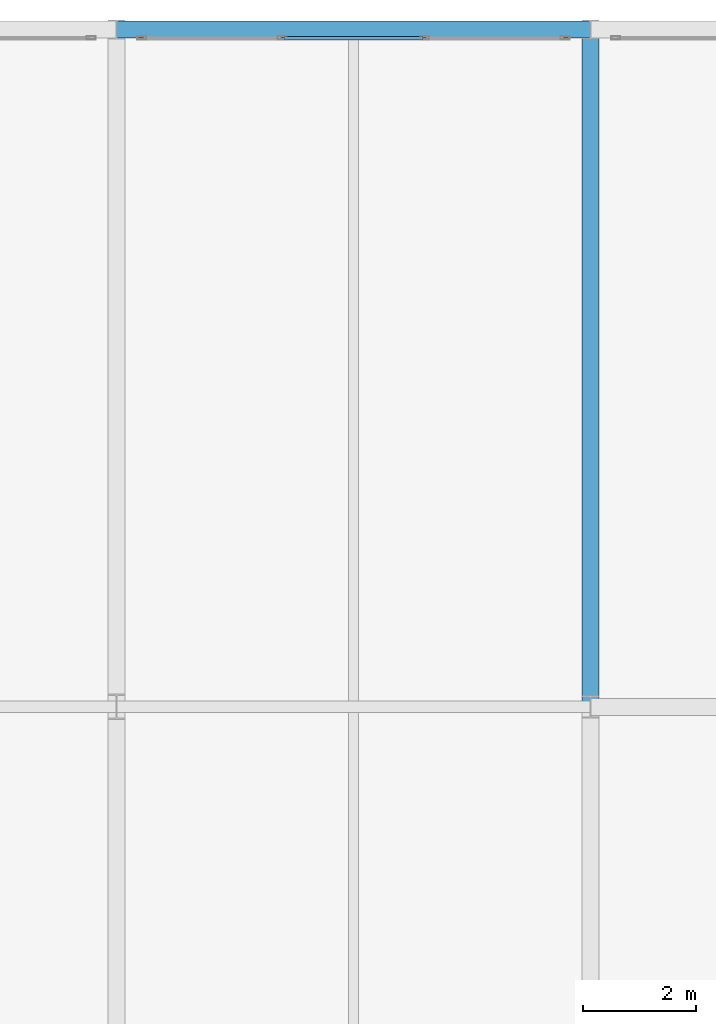
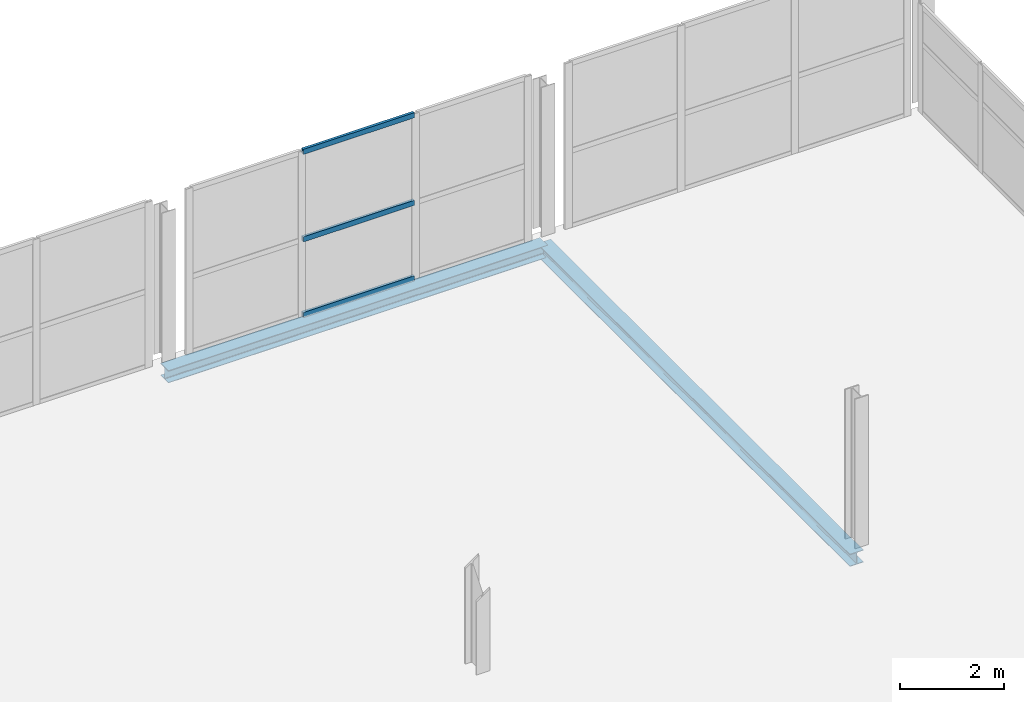
# One storey, part 66 of 103: 3 members, 2 beams, 1 element without a shape of its own.
"""IFC4 building model written with IfcOpenShell, lengths in metres."""

from ifc_helpers import new_model, si_unit, direction, frame, origin, origin_2d, place, context, subcontext, project, spatial, hollow_rectangle, i_section, extrude, material, material_profile, profile_set, type_object, element, aggregate, save


model = new_model("IFC4")

# Units and contexts
model_context = context("Model", 3, precision=1e-05, world=origin(), true_north=direction((0.0, 1.0)))
body_context = subcontext(model_context, "Body", "Model", "MODEL_VIEW")
ifc_project = project(units=[si_unit("LENGTHUNIT", "METRE"), si_unit("AREAUNIT", "SQUARE_METRE"), si_unit("VOLUMEUNIT", "CUBIC_METRE"), si_unit("PLANEANGLEUNIT", "RADIAN"), si_unit("MASSUNIT", "GRAM", prefix="KILO")], contexts=[model_context])

# Site, building, storey
site_placement = place(None, origin())
site = spatial("IfcSite", under=ifc_project, at=site_placement, CompositionType="ELEMENT")
building_placement = place(site_placement, origin())
building = spatial("IfcBuilding", under=site, at=building_placement, Name="Veltarok Museum of Natural Sciences", CompositionType="ELEMENT")
storey_placement = place(building_placement, frame((0.0, 0.0, 21.89990234375)))
storey = spatial("IfcBuildingStorey", under=building, at=storey_placement, Name="L04", CompositionType="ELEMENT", Elevation=21.89990234375)

# Curtain wall, members
ifc_material_1 = material(Name="Low-iron triple insulated glass", Category="glass")
curtain_wall_type = type_object("IfcCurtainWallType", Name="Curtain Wall System CW-V2N-L04-10-756x388 (V2 North Hall L04 10-11 756x388cm)", PredefinedType="NOTDEFINED", material=ifc_material_1)
curtain_wall_placement = place(storey_placement, origin())
curtain_wall = element("IfcCurtainWall", 1, at=curtain_wall_placement, inside=storey, type_object=curtain_wall_type, Name="Curtain Wall CW-V2N-L04-10-756x388 CW-0065", PredefinedType="NOTDEFINED")
ifc_material_2 = material(Name="Thermally broken anodised aluminium", Category="aluminium")
ifc_material_profile_1 = material_profile(ifc_material_2, hollow_rectangle(XDim=0.06005859375, YDim=0.1201171875, WallThickness=0.0048828125, at=origin_2d()), Name="CW TRANSOM 60x120x5")
ifc_profile_set_1 = profile_set([ifc_material_profile_1], Name="Thermally broken anodised aluminium")
member_type = type_object("IfcMemberType", Name="Curtain Wall Horizontal Transom 60x120x5", PredefinedType="USERDEFINED", material=ifc_profile_set_1)
member_1_placement = place(storey_placement, frame((87.429931640625, 71.85009765625, 0.030029296875), z_axis=(-1.0, 0.0, 0.0), x_axis=(0.0, -1.0, 0.0)))
member_1 = element("IfcMember", 2, at=member_1_placement, type_object=member_type, Name="CW-V2N-L04-10-756x388 transom 2.1", ObjectType="TRANSOM", PredefinedType="USERDEFINED", context=body_context, shape_type="SweptSolid", body=[
    extrude(hollow_rectangle(XDim=0.06005859375, YDim=0.1201171875, WallThickness=0.0048828125, at=origin_2d()), origin(), (0.0, 0.0, 1.0), 2.4599609375),
])
member_2_placement = place(storey_placement, frame((87.429931640625, 71.85009765625, 1.800048828125), z_axis=(-1.0, 0.0, 0.0), x_axis=(0.0, -1.0, 0.0)))
member_2 = element("IfcMember", 3, at=member_2_placement, type_object=member_type, Name="CW-V2N-L04-10-756x388 transom 2.2", ObjectType="TRANSOM", PredefinedType="USERDEFINED", context=body_context, shape_type="SweptSolid", body=[
    extrude(hollow_rectangle(XDim=0.06005859375, YDim=0.1201171875, WallThickness=0.0048828125, at=origin_2d()), origin(), (0.0, 0.0, 1.0), 2.4599609375),
])
member_3_placement = place(storey_placement, frame((87.429931640625, 71.85009765625, 3.85009765625), z_axis=(-1.0, 0.0, 0.0), x_axis=(0.0, -1.0, 0.0)))
member_3 = element("IfcMember", 4, at=member_3_placement, type_object=member_type, Name="CW-V2N-L04-10-756x388 transom 2.3", ObjectType="TRANSOM", PredefinedType="USERDEFINED", context=body_context, shape_type="SweptSolid", body=[
    extrude(hollow_rectangle(XDim=0.06005859375, YDim=0.1201171875, WallThickness=0.0048828125, at=origin_2d()), origin(), (0.0, 0.0, 1.0), 2.4599609375),
])
aggregate(curtain_wall, [member_1, member_2, member_3])

# Beams
ifc_material_3 = material(Name="Steel S355J2", Category="steel")
ifc_material_profile_2 = material_profile(ifc_material_3, i_section(OverallWidth=0.300048828125, OverallDepth=0.2900390625, WebThickness=0.008544921875, FlangeThickness=0.013916015625, FilletRadius=0.027099609375, at=origin_2d()), Name="HEA 300")
ifc_profile_set_2 = profile_set([ifc_material_profile_2], Name="Steel S355J2")
beam_type = type_object("IfcBeamType", Name="Glazed Hall Edge Spandrel HEA 300", PredefinedType="SPANDREL", material=ifc_profile_set_2)
beam_1_placement = place(storey_placement, frame((82.0, 72.0, -0.39501953125), z_axis=(1.0, 0.0, 0.0), x_axis=(0.0, 1.0, 0.0)))
element("IfcBeam", 5, at=beam_1_placement, inside=storey, type_object=beam_type, Name="Beam BM-SP03 L04 10-11/H", PredefinedType="SPANDREL", context=body_context, shape_type="SweptSolid", body=[
    extrude(i_section(OverallWidth=0.300048828125, OverallDepth=0.2900390625, WebThickness=0.008544921875, FlangeThickness=0.013916015625, FilletRadius=0.027099609375, at=origin_2d()), origin(), (0.0, 0.0, 1.0), 8.39990234375),
])
beam_2_placement = place(storey_placement, frame((90.39990234375, 60.0, -0.39501953125), z_axis=(0.0, 1.0, 0.0), x_axis=(-1.0, 0.0, 0.0)))
element("IfcBeam", 6, at=beam_2_placement, inside=storey, type_object=beam_type, Name="Beam BM-SP03 L04 11/G-H", PredefinedType="SPANDREL", context=body_context, shape_type="SweptSolid", body=[
    extrude(i_section(OverallWidth=0.300048828125, OverallDepth=0.2900390625, WebThickness=0.008544921875, FlangeThickness=0.013916015625, FilletRadius=0.027099609375, at=origin_2d()), origin(), (0.0, 0.0, 1.0), 12.0),
])

save(model, "model.ifc")
